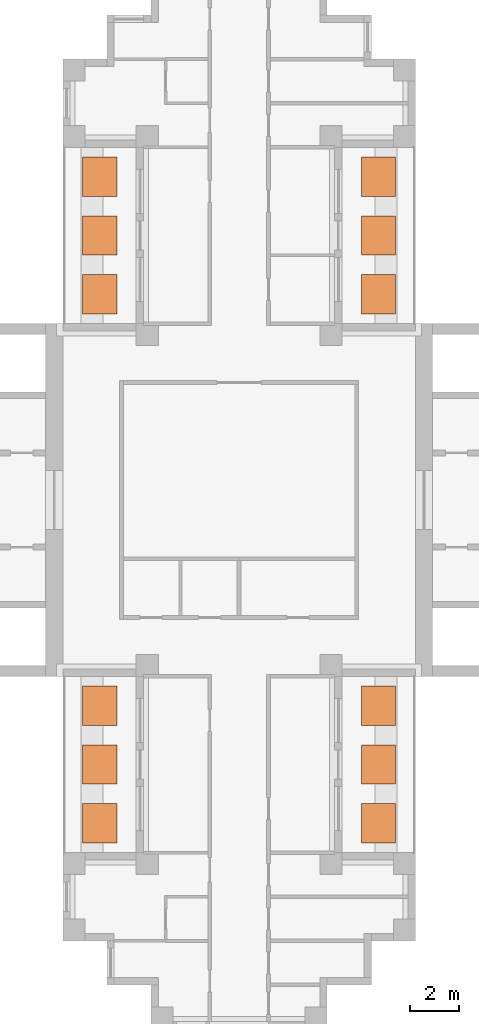
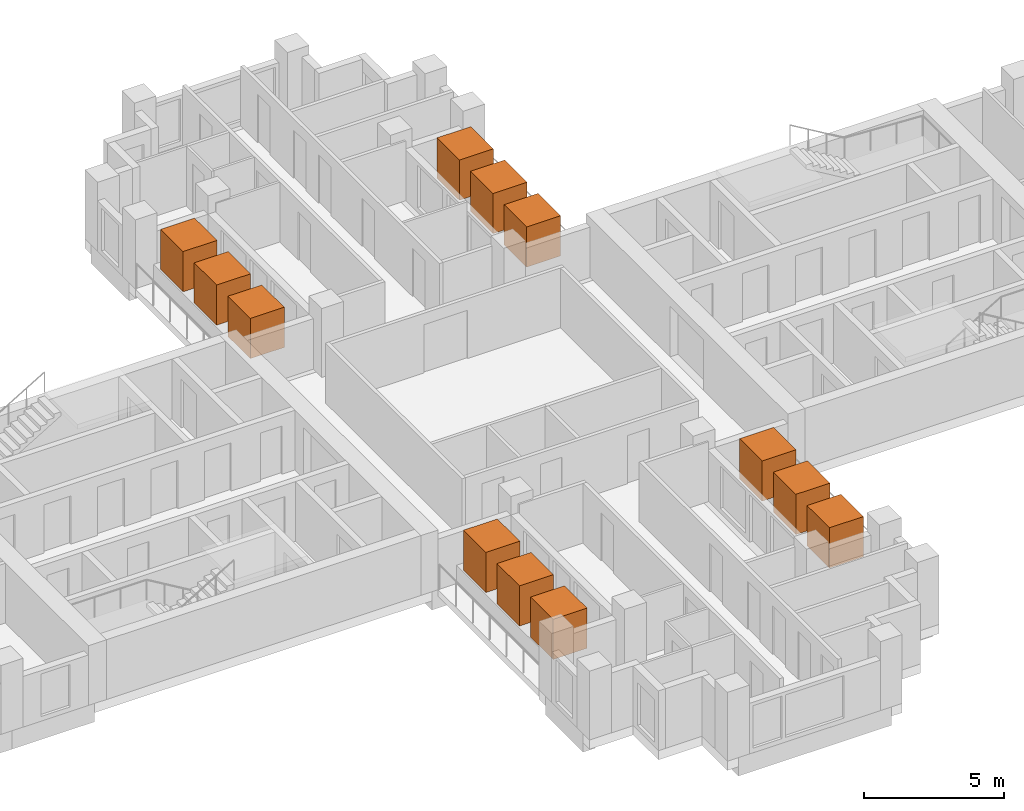
# One storey, part 11 of 11: 12 geographic elements.
"""IFC4 building model written with IfcOpenShell, lengths in metres."""

from ifc_helpers import new_model, si_unit, direction, frame, origin, origin_2d, place, context, subcontext, project, spatial, rectangle, extrude, material, element, save


model = new_model("IFC4")

# Units and contexts
model_context = context("Model", 3, precision=1e-05, world=origin(), true_north=direction((0.0, 1.0)))
body_context = subcontext(model_context, "Body", "Model", "MODEL_VIEW")
ifc_project = project(units=[si_unit("LENGTHUNIT", "METRE"), si_unit("AREAUNIT", "SQUARE_METRE"), si_unit("VOLUMEUNIT", "CUBIC_METRE"), si_unit("PLANEANGLEUNIT", "RADIAN"), si_unit("MASSUNIT", "GRAM", prefix="KILO")], contexts=[model_context])

# Site, building, storey
site_placement = place(None, origin())
site = spatial("IfcSite", under=ifc_project, at=site_placement, CompositionType="ELEMENT")
building_placement = place(site_placement, origin())
building = spatial("IfcBuilding", under=site, at=building_placement, Name="Fustian Cross Tower", CompositionType="ELEMENT")
storey_placement = place(building_placement, frame((0.0, 0.0, 126.300048828125)))
storey = spatial("IfcBuildingStorey", under=building, at=storey_placement, Name="L39", CompositionType="ELEMENT", Elevation=126.300048828125)

# Geographic elements
ifc_material = material(Name="Evergreen foliage")
for number, where, z_axis, x_axis, name in (
    (1, (5.68994140625, 8.39990234375, 0.800048828125), (0.0, 0.0, 1.0), (1.0, 0.0, 0.0), "TREE field maple"),
    (2, (5.68994140625, 10.800048828125, 0.800048828125), (0.0, 0.0, 1.0), (1.0, 0.0, 0.0), "TREE field maple"),
    (3, (5.68994140625, 13.199951171875, 0.800048828125), (0.0, 0.0, 1.0), (1.0, 0.0, 0.0), "TREE field maple"),
    (4, (-5.68994140625, 8.39990234375, 0.800048828125), (0.0, 0.0, 1.0), (1.0, 0.0, 0.0), "TREE field maple"),
    (5, (-5.68994140625, 10.800048828125, 0.800048828125), (0.0, 0.0, 1.0), (1.0, 0.0, 0.0), "TREE field maple"),
    (6, (-5.68994140625, 13.199951171875, 0.800048828125), (0.0, 0.0, 1.0), (1.0, 0.0, 0.0), "TREE field maple"),
    (7, (5.68994140625, -13.199951171875, 0.800048828125), (0.0, 0.0, 1.0), (1.0, 0.0, 0.0), "TREE field maple"),
    (8, (5.68994140625, -10.800048828125, 0.800048828125), (0.0, 0.0, 1.0), (1.0, 0.0, 0.0), "TREE field maple"),
    (9, (5.68994140625, -8.39990234375, 0.800048828125), (0.0, 0.0, 1.0), (1.0, 0.0, 0.0), "TREE field maple"),
    (10, (-5.68994140625, -13.199951171875, 0.800048828125), (0.0, 0.0, 1.0), (1.0, 0.0, 0.0), "TREE field maple"),
    (11, (-5.68994140625, -10.800048828125, 0.800048828125), (0.0, 0.0, 1.0), (1.0, 0.0, 0.0), "TREE field maple"),
    (12, (-5.68994140625, -8.39990234375, 0.800048828125), (0.0, 0.0, 1.0), (1.0, 0.0, 0.0), "TREE field maple"),
):
    element("IfcGeographicElement", number, at=place(storey_placement, frame(where, z_axis=z_axis, x_axis=x_axis)), inside=storey, material=ifc_material, Name=name, ObjectType="VEGETATION", PredefinedType="USERDEFINED", context=body_context, shape_type="SweptSolid", body=[
        extrude(rectangle(XDim=1.39990234375, YDim=1.60009765625, at=origin_2d()), origin(), (0.0, 0.0, 1.0), 1.75),
    ])

save(model, "model.ifc")
